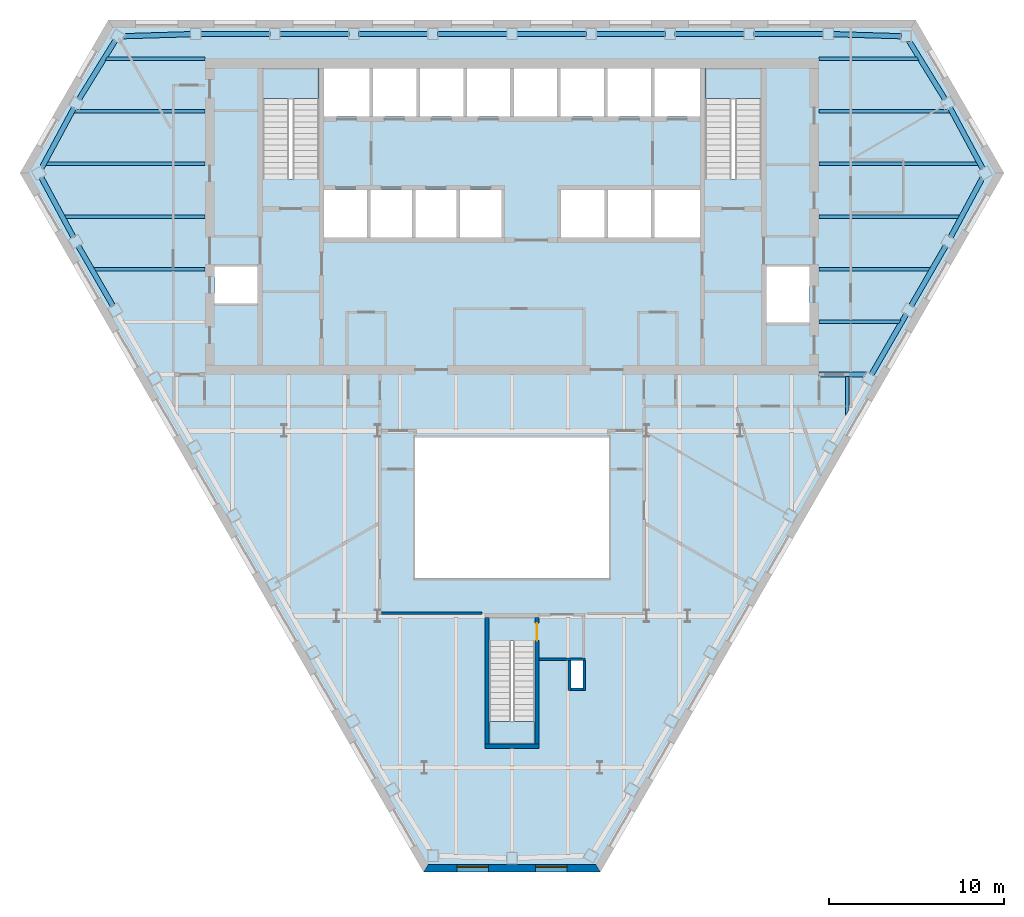
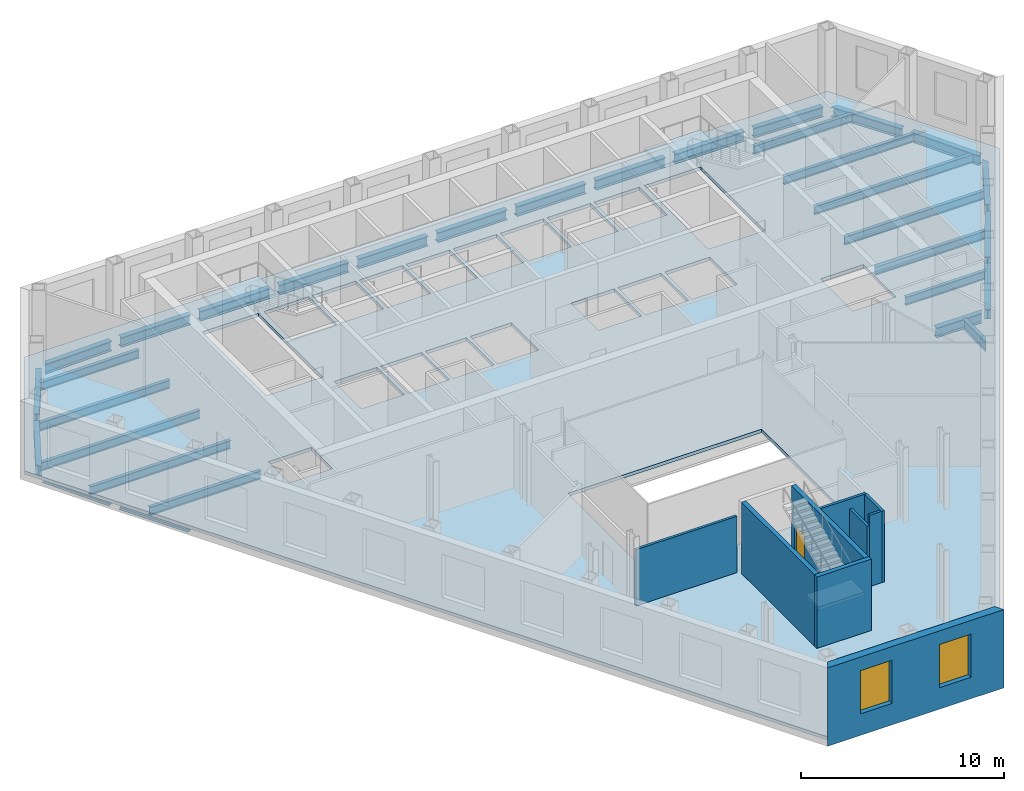
# One storey, part 3 of 11: 32 beams, 9 walls, 4 slabs, 2 windows, 1 door, 3 openings, 3 elements without a shape of their own.
"""IFC4 building model written with IfcOpenShell, lengths in metres."""

from ifc_helpers import new_model, si_unit, direction, frame, frame_2d, origin, origin_2d, place, context, subcontext, project, spatial, polyline, rectangle, i_section, outline, extrude, clip, halfspace, material, layer, layer_set, material_profile, profile_set, type_object, element, fill, aggregate, save


model = new_model("IFC4")

# Units and contexts
model_context = context("Model", 3, precision=1e-05, world=origin(), true_north=direction((0.0, 1.0)))
body_context = subcontext(model_context, "Body", "Model", "MODEL_VIEW")
ifc_project = project(units=[si_unit("LENGTHUNIT", "METRE"), si_unit("AREAUNIT", "SQUARE_METRE"), si_unit("VOLUMEUNIT", "CUBIC_METRE"), si_unit("PLANEANGLEUNIT", "RADIAN"), si_unit("MASSUNIT", "GRAM", prefix="KILO")], contexts=[model_context])

# Site, building, storey
site_placement = place(None, origin())
site = spatial("IfcSite", under=ifc_project, at=site_placement, CompositionType="ELEMENT")
building_placement = place(site_placement, origin())
building = spatial("IfcBuilding", under=site, at=building_placement, Name="Njiva Tower", CompositionType="ELEMENT")
storey_placement = place(building_placement, frame((0.0, 0.0, 106.8)))
storey = spatial("IfcBuildingStorey", under=building, at=storey_placement, Name="L22", CompositionType="ELEMENT", Elevation=106.8)

# Beams
ifc_material_1 = material(Name="Steel S355 J2", Category="steel")
ifc_material_profile_1 = material_profile(ifc_material_1, i_section(OverallWidth=0.22, OverallDepth=0.6, WebThickness=0.012, FlangeThickness=0.019, at=origin_2d()), Name="IPE 600")
ifc_profile_set_1 = profile_set([ifc_material_profile_1], Name="Steel S355 J2")
beam_type_1 = type_object("IfcBeamType", Name="B14 Short-span floor joist IPE 600", PredefinedType="JOIST", material=ifc_profile_set_1)
beam_1_placement = place(storey_placement, frame((19.1, -0.1, -0.5), z_axis=(0.0, -1.0, 0.0), x_axis=(1.0, 0.0, 0.0)))
element("IfcBeam", 1, at=beam_1_placement, inside=storey, type_object=beam_type_1, Name="Short-span floor joist S07-B092", PredefinedType="JOIST", context=body_context, shape_type="Clipping", body=[
    clip(extrude(i_section(OverallWidth=0.22, OverallDepth=0.6, WebThickness=0.012, FlangeThickness=0.019, at=origin_2d()), origin(), (0.0, 0.0, 1.0), 2.308), halfspace(frame((0.0433, 0.0, 2.0217), z_axis=(0.866026552831, 0.0, 0.499998009787), x_axis=(0.0, 1.0, 0.0)), False)),
])
ifc_material_profile_2 = material_profile(ifc_material_1, i_section(OverallWidth=0.3, OverallDepth=0.6, WebThickness=0.0155, FlangeThickness=0.03, at=origin_2d()), Name="HEB 600")
ifc_profile_set_2 = profile_set([ifc_material_profile_2], Name="Steel S355 J2")
beam_type_2 = type_object("IfcBeamType", Name="B21 Short-span floor girder HEB 600", PredefinedType="BEAM", material=ifc_profile_set_2)
beam_2_placement = place(storey_placement, frame((17.5, 0.0, -0.5), z_axis=(1.0, 0.0, 0.0), x_axis=(0.0, 1.0, 0.0)))
element("IfcBeam", 2, at=beam_2_placement, inside=storey, type_object=beam_type_2, Name="Short-span floor girder S07-B028", PredefinedType="BEAM", context=body_context, shape_type="Clipping", body=[
    clip(extrude(i_section(OverallWidth=0.3, OverallDepth=0.6, WebThickness=0.0155, FlangeThickness=0.03, at=origin_2d()), origin(), (0.0, 0.0, 1.0), 2.745), halfspace(frame((-0.025, 0.0, 2.6231), z_axis=(-0.499998009787, 0.0, 0.866026552831), x_axis=(0.0, 1.0, 0.0)), False)),
])
ifc_material_profile_3 = material_profile(ifc_material_1, i_section(OverallWidth=0.2, OverallDepth=0.5, WebThickness=0.0102, FlangeThickness=0.016, at=origin_2d()), Name="IPE 500")
ifc_profile_set_3 = profile_set([ifc_material_profile_3], Name="Steel S355 J2")
beam_type_3 = type_object("IfcBeamType", Name="B24 Floor beam to the core IPE 500", PredefinedType="BEAM", material=ifc_profile_set_3)
beam_3_placement = place(storey_placement, frame((17.5, 3.0, -0.45), z_axis=(1.0, 0.0, 0.0), x_axis=(0.0, 1.0, 0.0)))
element("IfcBeam", 3, at=beam_3_placement, inside=storey, type_object=beam_type_3, Name="Floor beam to the core S07-B008", PredefinedType="BEAM", context=body_context, shape_type="Clipping", body=[
    clip(extrude(i_section(OverallWidth=0.2, OverallDepth=0.5, WebThickness=0.0102, FlangeThickness=0.016, at=origin_2d()), origin(), (0.0, 0.0, 1.0), 4.678), halfspace(frame((-0.025, 0.0, 4.5859), z_axis=(-0.499998009787, 0.0, 0.866026552831), x_axis=(0.0, 1.0, 0.0)), False)),
])
beam_4_placement = place(storey_placement, frame((-23.91, 6.0, -0.45), z_axis=(1.0, 0.0, 0.0), x_axis=(0.0, 1.0, 0.0)))
element("IfcBeam", 4, at=beam_4_placement, inside=storey, type_object=beam_type_3, Name="Floor beam to the core S07-B005", PredefinedType="BEAM", context=body_context, shape_type="Clipping", body=[
    clip(extrude(i_section(OverallWidth=0.2, OverallDepth=0.5, WebThickness=0.0102, FlangeThickness=0.016, at=origin_2d()), origin(), (0.0, 0.0, 1.0), 6.41), halfspace(frame((-0.025, 0.0, 0.092), z_axis=(-0.499998009787, 0.0, -0.866026552831), x_axis=(0.0, -1.0, 0.0)), False)),
])
beam_5_placement = place(storey_placement, frame((17.5, 6.0, -0.45), z_axis=(1.0, 0.0, 0.0), x_axis=(0.0, 1.0, 0.0)))
element("IfcBeam", 5, at=beam_5_placement, inside=storey, type_object=beam_type_3, Name="Floor beam to the core S07-B009", PredefinedType="BEAM", context=body_context, shape_type="Clipping", body=[
    clip(extrude(i_section(OverallWidth=0.2, OverallDepth=0.5, WebThickness=0.0102, FlangeThickness=0.016, at=origin_2d()), origin(), (0.0, 0.0, 1.0), 6.41), halfspace(frame((-0.025, 0.0, 6.318), z_axis=(-0.499998009787, 0.0, 0.866026552831), x_axis=(0.0, 1.0, 0.0)), False)),
])
beam_6_placement = place(storey_placement, frame((-25.584, 9.0, -0.45), z_axis=(1.0, 0.0, 0.0), x_axis=(0.0, 1.0, 0.0)))
element("IfcBeam", 6, at=beam_6_placement, inside=storey, type_object=beam_type_3, Name="Floor beam to the core S07-B002", PredefinedType="BEAM", context=body_context, shape_type="Clipping", body=[
    clip(extrude(i_section(OverallWidth=0.2, OverallDepth=0.5, WebThickness=0.0102, FlangeThickness=0.016, at=origin_2d()), origin(), (0.0, 0.0, 1.0), 8.084), halfspace(frame((-0.0237, 0.0, 0.0865), z_axis=(-0.473769423091, 0.0, -0.880648927634), x_axis=(0.0, -1.0, 0.0)), False)),
])
beam_7_placement = place(storey_placement, frame((17.5, 9.0, -0.45), z_axis=(1.0, 0.0, 0.0), x_axis=(0.0, 1.0, 0.0)))
element("IfcBeam", 7, at=beam_7_placement, inside=storey, type_object=beam_type_3, Name="Floor beam to the core S07-B010", PredefinedType="BEAM", context=body_context, shape_type="Clipping", body=[
    clip(extrude(i_section(OverallWidth=0.2, OverallDepth=0.5, WebThickness=0.0102, FlangeThickness=0.016, at=origin_2d()), origin(), (0.0, 0.0, 1.0), 8.084), halfspace(frame((-0.0237, 0.0, 7.9975), z_axis=(-0.473769423091, 0.0, 0.880648927634), x_axis=(0.0, 1.0, 0.0)), False)),
])
beam_8_placement = place(storey_placement, frame((-26.637, 12.0, -0.45), z_axis=(1.0, 0.0, 0.0), x_axis=(0.0, 1.0, 0.0)))
element("IfcBeam", 8, at=beam_8_placement, inside=storey, type_object=beam_type_3, Name="Floor beam to the core S07-B001", PredefinedType="BEAM", context=body_context, shape_type="Clipping", body=[
    clip(extrude(i_section(OverallWidth=0.2, OverallDepth=0.5, WebThickness=0.0102, FlangeThickness=0.016, at=origin_2d()), origin(), (0.0, 0.0, 1.0), 9.137), halfspace(frame((0.0237, 0.0, 0.0863), z_axis=(0.474151703132, 0.0, -0.880443162513), x_axis=(0.0, -1.0, 0.0)), False)),
])
beam_9_placement = place(storey_placement, frame((17.5, 12.0, -0.45), z_axis=(1.0, 0.0, 0.0), x_axis=(0.0, 1.0, 0.0)))
element("IfcBeam", 9, at=beam_9_placement, inside=storey, type_object=beam_type_3, Name="Floor beam to the core S07-B011", PredefinedType="BEAM", context=body_context, shape_type="Clipping", body=[
    clip(extrude(i_section(OverallWidth=0.2, OverallDepth=0.5, WebThickness=0.0102, FlangeThickness=0.016, at=origin_2d()), origin(), (0.0, 0.0, 1.0), 9.137), halfspace(frame((0.0237, 0.0, 9.0507), z_axis=(0.474151703132, 0.0, 0.880443162513), x_axis=(0.0, 1.0, 0.0)), False)),
])
beam_10_placement = place(storey_placement, frame((-25.022, 15.0, -0.45), z_axis=(1.0, 0.0, 0.0), x_axis=(0.0, 1.0, 0.0)))
element("IfcBeam", 10, at=beam_10_placement, inside=storey, type_object=beam_type_3, Name="Floor beam to the core S07-B003", PredefinedType="BEAM", context=body_context, shape_type="Clipping", body=[
    clip(extrude(i_section(OverallWidth=0.2, OverallDepth=0.5, WebThickness=0.0102, FlangeThickness=0.016, at=origin_2d()), origin(), (0.0, 0.0, 1.0), 7.522), halfspace(frame((0.0237, 0.0, 0.0869), z_axis=(0.474151703132, 0.0, -0.880443162513), x_axis=(0.0, -1.0, 0.0)), False)),
])
beam_11_placement = place(storey_placement, frame((17.5, 15.0, -0.45), z_axis=(1.0, 0.0, 0.0), x_axis=(0.0, 1.0, 0.0)))
element("IfcBeam", 11, at=beam_11_placement, inside=storey, type_object=beam_type_3, Name="Floor beam to the core S07-B013", PredefinedType="BEAM", context=body_context, shape_type="Clipping", body=[
    clip(extrude(i_section(OverallWidth=0.2, OverallDepth=0.5, WebThickness=0.0102, FlangeThickness=0.016, at=origin_2d()), origin(), (0.0, 0.0, 1.0), 7.522), halfspace(frame((0.0237, 0.0, 7.4351), z_axis=(0.474151703132, 0.0, 0.880443162513), x_axis=(0.0, 1.0, 0.0)), False)),
])
beam_12_placement = place(storey_placement, frame((-23.208, 18.0, -0.45), z_axis=(1.0, 0.0, 0.0), x_axis=(0.0, 1.0, 0.0)))
element("IfcBeam", 12, at=beam_12_placement, inside=storey, type_object=beam_type_3, Name="Floor beam to the core S07-B006", PredefinedType="BEAM", context=body_context, shape_type="Clipping", body=[
    clip(extrude(i_section(OverallWidth=0.2, OverallDepth=0.5, WebThickness=0.0102, FlangeThickness=0.016, at=origin_2d()), origin(), (0.0, 0.0, 1.0), 5.708), halfspace(frame((0.0263, 0.0, 0.0982), z_axis=(0.525409634683, 0.0, -0.850849408405), x_axis=(0.0, -1.0, 0.0)), False)),
])
beam_13_placement = place(storey_placement, frame((17.5, 18.0, -0.45), z_axis=(1.0, 0.0, 0.0), x_axis=(0.0, 1.0, 0.0)))
element("IfcBeam", 13, at=beam_13_placement, inside=storey, type_object=beam_type_3, Name="Floor beam to the core S07-B014", PredefinedType="BEAM", context=body_context, shape_type="Clipping", body=[
    clip(extrude(i_section(OverallWidth=0.2, OverallDepth=0.5, WebThickness=0.0102, FlangeThickness=0.016, at=origin_2d()), origin(), (0.0, 0.0, 1.0), 5.708), halfspace(frame((0.0263, 0.0, 5.6098), z_axis=(0.525409634683, 0.0, 0.850849408405), x_axis=(0.0, 1.0, 0.0)), False)),
])
ifc_material_profile_4 = material_profile(ifc_material_1, i_section(OverallWidth=0.3, OverallDepth=0.6, WebThickness=0.0155, FlangeThickness=0.03, at=origin_2d()), Name="HEB 600")
ifc_profile_set_4 = profile_set([ifc_material_profile_4], Name="Steel S355 J2")
beam_type_4 = type_object("IfcBeamType", Name="B3 Short-span spandrel beam HEB 600", PredefinedType="SPANDREL", material=ifc_profile_set_4)
beam_14_placement = place(storey_placement, frame((22.182, 19.275, -0.5), z_axis=(-0.999544015996, 0.030195365317, 0.0), x_axis=(-0.030195365317, -0.999544015996, 0.0)))
element("IfcBeam", 14, at=beam_14_placement, inside=storey, type_object=beam_type_4, Name="Short-span spandrel beam S07-B154", PredefinedType="SPANDREL", context=body_context, shape_type="SweptSolid", body=[
    extrude(i_section(OverallWidth=0.3, OverallDepth=0.6, WebThickness=0.0155, FlangeThickness=0.03, at=origin_2d()), origin(), (0.0, 0.0, 1.0), 3.8748),
])
beam_15_placement = place(storey_placement, frame((17.755, 19.4, -0.5), z_axis=(-1.0, 0.0, 0.0), x_axis=(0.0, -1.0, 0.0)))
element("IfcBeam", 15, at=beam_15_placement, inside=storey, type_object=beam_type_4, Name="Short-span spandrel beam S07-B148", PredefinedType="SPANDREL", context=body_context, shape_type="SweptSolid", body=[
    extrude(i_section(OverallWidth=0.3, OverallDepth=0.6, WebThickness=0.0155, FlangeThickness=0.03, at=origin_2d()), origin(), (0.0, 0.0, 1.0), 3.957),
])
beam_16_placement = place(storey_placement, frame((13.248, 19.4, -0.5), z_axis=(-1.0, 0.0, 0.0), x_axis=(0.0, -1.0, 0.0)))
element("IfcBeam", 16, at=beam_16_placement, inside=storey, type_object=beam_type_4, Name="Short-span spandrel beam S07-B142", PredefinedType="SPANDREL", context=body_context, shape_type="SweptSolid", body=[
    extrude(i_section(OverallWidth=0.3, OverallDepth=0.6, WebThickness=0.0155, FlangeThickness=0.03, at=origin_2d()), origin(), (0.0, 0.0, 1.0), 3.958),
])
beam_17_placement = place(storey_placement, frame((8.74, 19.4, -0.5), z_axis=(-1.0, 0.0, 0.0), x_axis=(0.0, -1.0, 0.0)))
element("IfcBeam", 17, at=beam_17_placement, inside=storey, type_object=beam_type_4, Name="Short-span spandrel beam S07-B137", PredefinedType="SPANDREL", context=body_context, shape_type="SweptSolid", body=[
    extrude(i_section(OverallWidth=0.3, OverallDepth=0.6, WebThickness=0.0155, FlangeThickness=0.03, at=origin_2d()), origin(), (0.0, 0.0, 1.0), 3.957),
])
for number, where, z_axis, x_axis, name in (
    (18, (4.233, 19.4, -0.5), (-1.0, 0.0, 0.0), (0.0, -1.0, 0.0), "Short-span spandrel beam S07-B132"),
    (19, (-0.275, 19.4, -0.5), (-1.0, 0.0, 0.0), (0.0, -1.0, 0.0), "Short-span spandrel beam S07-B130"),
):
    element("IfcBeam", number, at=place(storey_placement, frame(where, z_axis=z_axis, x_axis=x_axis)), inside=storey, type_object=beam_type_4, Name=name, PredefinedType="SPANDREL", context=body_context, shape_type="SweptSolid", body=[
        extrude(i_section(OverallWidth=0.3, OverallDepth=0.6, WebThickness=0.0155, FlangeThickness=0.03, at=origin_2d()), origin(), (0.0, 0.0, 1.0), 3.958),
    ])
beam_18_placement = place(storey_placement, frame((-4.783, 19.4, -0.5), z_axis=(-1.0, 0.0, 0.0), x_axis=(0.0, -1.0, 0.0)))
element("IfcBeam", 20, at=beam_18_placement, inside=storey, type_object=beam_type_4, Name="Short-span spandrel beam S07-B126", PredefinedType="SPANDREL", context=body_context, shape_type="SweptSolid", body=[
    extrude(i_section(OverallWidth=0.3, OverallDepth=0.6, WebThickness=0.0155, FlangeThickness=0.03, at=origin_2d()), origin(), (0.0, 0.0, 1.0), 3.957),
])
beam_19_placement = place(storey_placement, frame((-9.29, 19.4, -0.5), z_axis=(-1.0, 0.0, 0.0), x_axis=(0.0, -1.0, 0.0)))
element("IfcBeam", 21, at=beam_19_placement, inside=storey, type_object=beam_type_4, Name="Short-span spandrel beam S07-B121", PredefinedType="SPANDREL", context=body_context, shape_type="SweptSolid", body=[
    extrude(i_section(OverallWidth=0.3, OverallDepth=0.6, WebThickness=0.0155, FlangeThickness=0.03, at=origin_2d()), origin(), (0.0, 0.0, 1.0), 3.958),
])
beam_20_placement = place(storey_placement, frame((-13.798, 19.4, -0.5), z_axis=(-1.0, 0.0, 0.0), x_axis=(0.0, -1.0, 0.0)))
element("IfcBeam", 22, at=beam_20_placement, inside=storey, type_object=beam_type_4, Name="Short-span spandrel beam S07-B115", PredefinedType="SPANDREL", context=body_context, shape_type="SweptSolid", body=[
    extrude(i_section(OverallWidth=0.3, OverallDepth=0.6, WebThickness=0.0155, FlangeThickness=0.03, at=origin_2d()), origin(), (0.0, 0.0, 1.0), 3.957),
])
beam_21_placement = place(storey_placement, frame((-18.309, 19.392, -0.5), z_axis=(-0.999542384946, -0.030249309018, 0.0), x_axis=(0.030249309018, -0.999542384946, 0.0)))
element("IfcBeam", 23, at=beam_21_placement, inside=storey, type_object=beam_type_4, Name="Short-span spandrel beam S07-B109", PredefinedType="SPANDREL", context=body_context, shape_type="Clipping", body=[
    clip(extrude(i_section(OverallWidth=0.3, OverallDepth=0.6, WebThickness=0.0155, FlangeThickness=0.03, at=origin_2d()), origin(), (0.0, 0.0, 1.0), 3.9147), halfspace(frame((-0.0268, 0.0, 3.785), z_axis=(-0.525965907985, 0.0, 0.850505651737), x_axis=(0.0, 1.0, 0.0)), False)),
])
beam_22_placement = place(storey_placement, frame((-22.608, 19.03, -0.5), z_axis=(-0.525314575053, -0.850908101523, 0.0), x_axis=(0.850908101523, -0.525314575053, 0.0)))
element("IfcBeam", 24, at=beam_22_placement, inside=storey, type_object=beam_type_4, Name="Short-span spandrel beam S07-B105", PredefinedType="SPANDREL", context=body_context, shape_type="SweptSolid", body=[
    extrude(i_section(OverallWidth=0.3, OverallDepth=0.6, WebThickness=0.0155, FlangeThickness=0.03, at=origin_2d()), origin(), (0.0, 0.0, 1.0), 3.9405),
])
beam_23_placement = place(storey_placement, frame((-24.957, 15.194, -0.5), z_axis=(-0.474207752465, -0.880412975542, 0.0), x_axis=(0.880412975542, -0.474207752465, 0.0)))
element("IfcBeam", 25, at=beam_23_placement, inside=storey, type_object=beam_type_4, Name="Short-span spandrel beam S07-B101", PredefinedType="SPANDREL", context=body_context, shape_type="Clipping", body=[
    clip(extrude(i_section(OverallWidth=0.3, OverallDepth=0.6, WebThickness=0.0155, FlangeThickness=0.03, at=origin_2d()), origin(), (0.0, 0.0, 1.0), 3.9805), halfspace(frame((-0.026, 0.0, 3.8511), z_axis=(-0.525358081818, 0.0, 0.850881240755), x_axis=(0.0, 1.0, 0.0)), False)),
])
beam_24_placement = place(storey_placement, frame((-26.825, 11.234, -0.5), z_axis=(0.473745879113, -0.880661593362, 0.0), x_axis=(0.880661593362, 0.473745879113, 0.0)))
element("IfcBeam", 26, at=beam_24_placement, inside=storey, type_object=beam_type_4, Name="Short-span spandrel beam S07-B100", PredefinedType="SPANDREL", context=body_context, shape_type="SweptSolid", body=[
    extrude(i_section(OverallWidth=0.3, OverallDepth=0.6, WebThickness=0.0155, FlangeThickness=0.03, at=origin_2d()), origin(), (0.0, 0.0, 1.0), 3.8755),
])
beam_25_placement = place(storey_placement, frame((-24.72, 7.337, -0.5), z_axis=(0.500079715141, -0.865979375335, 0.0), x_axis=(0.865979375335, 0.500079715141, 0.0)))
element("IfcBeam", 27, at=beam_25_placement, inside=storey, type_object=beam_type_4, Name="Short-span spandrel beam S07-B104", PredefinedType="SPANDREL", context=body_context, shape_type="SweptSolid", body=[
    extrude(i_section(OverallWidth=0.3, OverallDepth=0.6, WebThickness=0.0155, FlangeThickness=0.03, at=origin_2d()), origin(), (0.0, 0.0, 1.0), 3.9574),
])
beam_26_placement = place(storey_placement, frame((20.487, 0.006, -0.5), z_axis=(0.499970304126, 0.866042548026, 0.0), x_axis=(-0.866042548026, 0.499970304126, 0.0)))
element("IfcBeam", 28, at=beam_26_placement, inside=storey, type_object=beam_type_4, Name="Short-span spandrel beam S07-B156", PredefinedType="SPANDREL", context=body_context, shape_type="SweptSolid", body=[
    extrude(i_section(OverallWidth=0.3, OverallDepth=0.6, WebThickness=0.0155, FlangeThickness=0.03, at=origin_2d()), origin(), (0.0, 0.0, 1.0), 3.9582),
])
beam_27_placement = place(storey_placement, frame((22.741, 3.91, -0.5), z_axis=(0.500079715141, 0.865979375335, 0.0), x_axis=(-0.865979375335, 0.500079715141, 0.0)))
element("IfcBeam", 29, at=beam_27_placement, inside=storey, type_object=beam_type_4, Name="Short-span spandrel beam S07-B160", PredefinedType="SPANDREL", context=body_context, shape_type="SweptSolid", body=[
    extrude(i_section(OverallWidth=0.3, OverallDepth=0.6, WebThickness=0.0155, FlangeThickness=0.03, at=origin_2d()), origin(), (0.0, 0.0, 1.0), 3.9574),
])
beam_28_placement = place(storey_placement, frame((24.989, 7.821, -0.5), z_axis=(0.473942975033, 0.880555538519, 0.0), x_axis=(-0.880555538519, 0.473942975033, 0.0)))
element("IfcBeam", 30, at=beam_28_placement, inside=storey, type_object=beam_type_4, Name="Short-span spandrel beam S07-B163", PredefinedType="SPANDREL", context=body_context, shape_type="Clipping", body=[
    clip(extrude(i_section(OverallWidth=0.3, OverallDepth=0.6, WebThickness=0.0155, FlangeThickness=0.03, at=origin_2d()), origin(), (0.0, 0.0, 1.0), 3.9151), halfspace(frame((-0.026, 0.0, 3.7856), z_axis=(-0.525613933331, 0.0, 0.850723217673), x_axis=(0.0, 1.0, 0.0)), False)),
])
beam_29_placement = place(storey_placement, frame((26.825, 11.724, -0.5), z_axis=(-0.474009028458, 0.880519983271, 0.0), x_axis=(-0.880519983271, -0.474009028458, 0.0)))
element("IfcBeam", 31, at=beam_29_placement, inside=storey, type_object=beam_type_4, Name="Short-span spandrel beam S07-B162", PredefinedType="SPANDREL", context=body_context, shape_type="SweptSolid", body=[
    extrude(i_section(OverallWidth=0.3, OverallDepth=0.6, WebThickness=0.0155, FlangeThickness=0.03, at=origin_2d()), origin(), (0.0, 0.0, 1.0), 3.9409),
])
beam_30_placement = place(storey_placement, frame((24.678, 15.677, -0.5), z_axis=(-0.525481869392, 0.850804798376, 0.0), x_axis=(-0.850804798376, -0.525481869392, 0.0)))
element("IfcBeam", 32, at=beam_30_placement, inside=storey, type_object=beam_type_4, Name="Short-span spandrel beam S07-B158", PredefinedType="SPANDREL", context=body_context, shape_type="Clipping", body=[
    clip(extrude(i_section(OverallWidth=0.3, OverallDepth=0.6, WebThickness=0.0155, FlangeThickness=0.03, at=origin_2d()), origin(), (0.0, 0.0, 1.0), 3.9799), halfspace(frame((-0.0266, 0.0, 3.8505), z_axis=(-0.525481869392, 0.0, 0.850804798376), x_axis=(0.0, 1.0, 0.0)), False)),
])

# Stair, slab
ifc_material_2 = material(Name="Concrete C40/50", Category="concrete")
stair_type_1 = type_object("IfcStairType", Name="ST4 Exit stair 1500", PredefinedType="HALF_TURN_STAIR", material=ifc_material_2)
stair_1_placement = place(storey_placement, origin())
stair_1 = element("IfcStair", 33, at=stair_1_placement, inside=storey, type_object=stair_type_1, Name="Stair A", PredefinedType="HALF_TURN_STAIR")
ifc_layer_1 = layer(ifc_material_2, 0.2)
ifc_layer_set_1 = layer_set([ifc_layer_1], Name="Concrete C40/50")
slab_type_1 = type_object("IfcSlabType", Name="FL9 Stair landing 200", PredefinedType="LANDING", material=ifc_layer_set_1)
slab_1_placement = place(storey_placement, frame((0.0, 0.0, 2.05)))
slab_1 = element("IfcSlab", 34, at=slab_1_placement, type_object=slab_type_1, Name="ST-A landing 1", PredefinedType="LANDING", context=body_context, shape_type="SweptSolid", body=[
    extrude(outline(polyline([(-14.206, 15.72), (-10.994, 15.72), (-10.994, 17.45), (-14.206, 17.45), (-14.206, 15.72)])), origin(), (0.0, 0.0, 1.0), 0.2),
])
aggregate(stair_1, [slab_1])

stair_2_placement = place(storey_placement, origin())
stair_2 = element("IfcStair", 35, at=stair_2_placement, inside=storey, type_object=stair_type_1, Name="Stair B", PredefinedType="HALF_TURN_STAIR")
slab_2_placement = place(storey_placement, frame((0.0, 0.0, 2.05)))
slab_2 = element("IfcSlab", 36, at=slab_2_placement, type_object=slab_type_1, Name="ST-B landing 1", PredefinedType="LANDING", context=body_context, shape_type="SweptSolid", body=[
    extrude(outline(polyline([(10.994, 15.72), (14.206, 15.72), (14.206, 17.45), (10.994, 17.45), (10.994, 15.72)])), origin(), (0.0, 0.0, 1.0), 0.2),
])
aggregate(stair_2, [slab_2])

stair_type_2 = type_object("IfcStairType", Name="ST1 Exit stair 1250", PredefinedType="HALF_TURN_STAIR", material=ifc_material_2)
stair_3_placement = place(storey_placement, origin())
stair_3 = element("IfcStair", 37, at=stair_3_placement, inside=storey, type_object=stair_type_2, Name="Stair C", PredefinedType="HALF_TURN_STAIR")
slab_3_placement = place(storey_placement, frame((0.0, 0.0, 2.05)))
slab_3 = element("IfcSlab", 38, at=slab_3_placement, type_object=slab_type_1, Name="ST-C landing 1", PredefinedType="LANDING", context=body_context, shape_type="SweptSolid", body=[
    extrude(outline(polyline([(-1.306, -21.05), (1.306, -21.05), (1.306, -19.78), (-1.306, -19.78), (-1.306, -21.05)])), origin(), (0.0, 0.0, 1.0), 0.2),
])
aggregate(stair_3, [slab_3])

# Slab
ifc_material_3 = material(Name="Concrete C30/37", Category="concrete")
ifc_layer_2 = layer(ifc_material_3, 0.2)
ifc_layer_set_2 = layer_set([ifc_layer_2], Name="Concrete C30/37")
slab_type_2 = type_object("IfcSlabType", Name="SL16 Composite floor slab 200", PredefinedType="FLOOR", material=ifc_layer_set_2)
slab_4_placement = place(storey_placement, frame((0.0, 0.0, -0.2)))
element("IfcSlab", 39, at=slab_4_placement, inside=storey, type_object=slab_type_2, Name="Floor slab L22", PredefinedType="FLOOR", context=body_context, shape_type="SweptSolid", body=[
    extrude(outline(polyline([(27.7752, 11.4791), (4.9051, -28.133), (-4.9051, -28.133), (-27.7752, 11.4791), (-22.8701, 19.975), (22.8701, 19.975), (27.7752, 11.4791)]), holes=[polyline([(14.5, 2.9559), (16.95, 2.9559), (16.95, 6.15), (14.5, 6.15), (14.5, 2.9559)]), polyline([(10.994, 17.45), (10.994, 11.13), (14.206, 11.13), (14.206, 17.45), (10.994, 17.45)]), polyline([(8.125, 17.45), (8.125, 14.7), (10.7, 14.7), (10.7, 17.45), (8.125, 17.45)]), polyline([(8.1333, 7.8), (10.7, 7.8), (10.7, 10.5), (8.1333, 10.5), (8.1333, 7.8)]), polyline([(5.4667, 10.5), (5.4667, 7.8), (7.9333, 7.8), (7.9333, 10.5), (5.4667, 10.5)]), polyline([(5.45, 17.45), (5.45, 14.7), (7.925, 14.7), (7.925, 17.45), (5.45, 17.45)]), polyline([(5.52, -11.6), (5.52, -3.6), (-5.52, -3.6), (-5.52, -11.6), (5.52, -11.6)]), polyline([(2.8, 10.5), (2.8, 7.8), (5.2667, 7.8), (5.2667, 10.5), (2.8, 10.5)]), polyline([(2.775, 14.7), (5.25, 14.7), (5.25, 17.45), (2.775, 17.45), (2.775, 14.7)]), polyline([(3.35, -17.85), (4.05, -17.85), (4.05, -16.3), (3.35, -16.3), (3.35, -17.85)]), polyline([(0.1, 17.45), (0.1, 14.7), (2.575, 14.7), (2.575, 17.45), (0.1, 17.45)]), polyline([(-1.306, -21.05), (1.306, -21.05), (1.306, -15.19), (-1.306, -15.19), (-1.306, -21.05)]), polyline([(-2.575, 17.45), (-2.575, 14.7), (-0.1, 14.7), (-0.1, 17.45), (-2.575, 17.45)]), polyline([(-2.95, 7.8), (-0.6, 7.8), (-0.6, 10.5), (-2.95, 10.5), (-2.95, 7.8)]), polyline([(-5.25, 17.45), (-5.25, 14.7), (-2.775, 14.7), (-2.775, 17.45), (-5.25, 17.45)]), polyline([(-5.5, 10.5), (-5.5, 7.8), (-3.15, 7.8), (-3.15, 10.5), (-5.5, 10.5)]), polyline([(-7.925, 14.7), (-5.45, 14.7), (-5.45, 17.45), (-7.925, 17.45), (-7.925, 14.7)]), polyline([(-8.05, 10.5), (-8.05, 7.8), (-5.7, 7.8), (-5.7, 10.5), (-8.05, 10.5)]), polyline([(-10.7, 17.45), (-10.7, 14.7), (-8.125, 14.7), (-8.125, 17.45), (-10.7, 17.45)]), polyline([(-10.7, 7.8), (-8.25, 7.8), (-8.25, 10.5), (-10.7, 10.5), (-10.7, 7.8)]), polyline([(-14.206, 17.45), (-14.206, 11.13), (-10.994, 11.13), (-10.994, 17.45), (-14.206, 17.45)]), polyline([(-16.95, 4.0598), (-14.5, 4.0598), (-14.5, 6.15), (-16.95, 6.15), (-16.95, 4.0598)])]), origin(), (0.0, 0.0, 1.0), 0.2),
])

# Walls
ifc_material_4 = material(Name="Gypsum board on steel studs", Category="gypsum")
ifc_layer_3 = layer(ifc_material_4, 0.15)
ifc_layer_set_3 = layer_set([ifc_layer_3], Name="Gypsum board on steel studs")
wall_type_1 = type_object("IfcWallType", Name="WT21 Compartment wall 150", PredefinedType="PARTITIONING", material=ifc_layer_set_3)
wall_1_placement = place(storey_placement, frame((-7.445, -13.6, 0.0), z_axis=(0.0, 0.0, 1.0), x_axis=(1.0, 0.0, 0.0)))
element("IfcWall", 40, at=wall_1_placement, inside=storey, type_object=wall_type_1, Name="Partition S07-P011", PredefinedType="PARTITIONING", context=body_context, shape_type="SweptSolid", body=[
    extrude(rectangle(XDim=5.745, YDim=0.15, at=frame_2d((2.8725, 0.0))), origin(), (0.0, 0.0, 1.0), 3.39),
])
ifc_material_5 = material(Name="Blockwork", Category="masonry")
ifc_layer_4 = layer(ifc_material_5, 0.15)
ifc_layer_set_4 = layer_set([ifc_layer_4], Name="Blockwork")
wall_type_2 = type_object("IfcWallType", Name="WT4 Stair partition 150", PredefinedType="PARTITIONING", material=ifc_layer_set_4)
wall_2_placement = place(storey_placement, frame((1.55, -16.225, 0.0), z_axis=(0.0, 0.0, 1.0), x_axis=(1.0, 0.0, 0.0)))
element("IfcWall", 41, at=wall_2_placement, inside=storey, type_object=wall_type_2, Name="Stair C vestibule wall south", PredefinedType="PARTITIONING", context=body_context, shape_type="SweptSolid", body=[
    extrude(rectangle(XDim=2.6, YDim=0.15, at=frame_2d((1.3, 0.0))), origin(), (0.0, 0.0, 1.0), 4.3),
])
wall_3_placement = place(storey_placement, frame((3.275, -18.0, 0.0), z_axis=(0.0, 0.0, 1.0), x_axis=(0.0, 1.0, 0.0)))
element("IfcWall", 42, at=wall_3_placement, inside=storey, type_object=wall_type_2, Name="Stair C pressurisation shaft wall", PredefinedType="PARTITIONING", context=body_context, shape_type="SweptSolid", body=[
    extrude(rectangle(XDim=1.7, YDim=0.15, at=frame_2d((0.85, 0.0))), origin(), (0.0, 0.0, 1.0), 3.7),
])
wall_4_placement = place(storey_placement, frame((3.35, -17.925, 0.0), z_axis=(0.0, 0.0, 1.0), x_axis=(1.0, 0.0, 0.0)))
element("IfcWall", 43, at=wall_4_placement, inside=storey, type_object=wall_type_2, Name="Stair C pressurisation shaft wall", PredefinedType="PARTITIONING", context=body_context, shape_type="SweptSolid", body=[
    extrude(rectangle(XDim=0.7, YDim=0.15, at=frame_2d((0.35, 0.0))), origin(), (0.0, 0.0, 1.0), 4.3),
])
wall_5_placement = place(storey_placement, frame((4.125, -18.0, 0.0), z_axis=(0.0, 0.0, 1.0), x_axis=(0.0, 1.0, 0.0)))
element("IfcWall", 44, at=wall_5_placement, inside=storey, type_object=wall_type_2, Name="Stair C pressurisation shaft wall", PredefinedType="PARTITIONING", context=body_context, shape_type="SweptSolid", body=[
    extrude(rectangle(XDim=1.7, YDim=0.15, at=frame_2d((0.85, 0.0))), origin(), (0.0, 0.0, 1.0), 4.3),
])
ifc_layer_5 = layer(ifc_material_2, 0.25)
ifc_layer_set_5 = layer_set([ifc_layer_5], Name="Concrete C40/50")
wall_type_3 = type_object("IfcWallType", Name="WT9 Stair enclosure wall 250", PredefinedType="SHEAR", material=ifc_layer_set_5)
wall_6_placement = place(storey_placement, frame((-1.425, -21.05, 0.0), z_axis=(0.0, 0.0, 1.0), x_axis=(0.0, 1.0, 0.0)))
element("IfcWall", 45, at=wall_6_placement, inside=storey, type_object=wall_type_3, Name="Stair C wall west", PredefinedType="SHEAR", context=body_context, shape_type="SweptSolid", body=[
    extrude(rectangle(XDim=7.2, YDim=0.25, at=frame_2d((3.6, 0.0))), origin(), (0.0, 0.0, 1.0), 4.3),
])

# Wall, opening, door
wall_7_placement = place(storey_placement, frame((1.425, -21.05, 0.0), z_axis=(0.0, 0.0, 1.0), x_axis=(0.0, 1.0, 0.0)))
wall_7 = element("IfcWall", 46, at=wall_7_placement, inside=storey, type_object=wall_type_3, Name="Stair C wall east", PredefinedType="SHEAR", context=body_context, shape_type="SweptSolid", body=[
    extrude(rectangle(XDim=7.2, YDim=0.25, at=frame_2d((3.6, 0.0))), origin(), (0.0, 0.0, 1.0), 4.3),
])
opening_1_placement = place(wall_7_placement, frame((5.89, 0.0, 0.0)))
opening_1 = element("IfcOpeningElement", 47, at=opening_1_placement, cuts=wall_7, Name="Opening S07-D938", PredefinedType="OPENING", context=body_context, shape_type="SweptSolid", body=[
    extrude(rectangle(XDim=1.0, YDim=2.1, at=frame_2d((0.5, 1.05))), frame((0.0, 0.135, 0.0), z_axis=(0.0, -1.0, 0.0), x_axis=(1.0, 0.0, 0.0)), (0.0, 0.0, 1.0), 0.27),
])
ifc_material_6 = material(Name="Glazed steel fire door", Category="steel")
door_type = type_object("IfcDoorType", Name="D9 Stair vestibule door 1000x2100 glazed", OperationType="SINGLE_SWING_LEFT", PredefinedType="DOOR", material=ifc_material_6)
door_placement = place(opening_1_placement, origin())
door = element("IfcDoor", 48, at=door_placement, inside=storey, type_object=door_type, Name="Stair C door", OperationType="SINGLE_SWING_LEFT", OverallHeight=2.1, OverallWidth=1.0, PredefinedType="DOOR", context=body_context, shape_type="SweptSolid", body=[
    extrude(rectangle(XDim=1.0, YDim=2.1, at=frame_2d((0.5, 1.05))), frame((0.0, 0.025, 0.0), z_axis=(0.0, -1.0, 0.0), x_axis=(1.0, 0.0, 0.0)), (0.0, 0.0, 1.0), 0.05),
])
fill(opening_1, door)

# Wall
wall_8_placement = place(storey_placement, frame((-1.55, -21.175, 0.0), z_axis=(0.0, 0.0, 1.0), x_axis=(1.0, 0.0, 0.0)))
element("IfcWall", 49, at=wall_8_placement, inside=storey, type_object=wall_type_3, Name="Stair C wall south", PredefinedType="SHEAR", context=body_context, shape_type="SweptSolid", body=[
    extrude(rectangle(XDim=3.1, YDim=0.25, at=frame_2d((1.55, 0.0))), origin(), (0.0, 0.0, 1.0), 4.3),
])

# Wall, openings, windows
ifc_material_7 = material(Name="Brick masonry, buff", Category="masonry")
ifc_layer_6 = layer(ifc_material_7, 0.45)
ifc_layer_set_6 = layer_set([ifc_layer_6], Name="Brick masonry, buff")
wall_type_4 = type_object("IfcWallType", Name="WT94 Brick pier and spandrel wall 450, buff", PredefinedType="SOLIDWALL", material=ifc_layer_set_6)
wall_9_placement = place(storey_placement, frame((-4.9051, -28.133, -0.4), z_axis=(0.0, 0.0, 1.0), x_axis=(1.0, 0.0, 0.0)))
wall_9 = element("IfcWall", 50, at=wall_9_placement, inside=storey, type_object=wall_type_4, Name="Facade wall S", PredefinedType="SOLIDWALL", context=body_context, shape_type="SweptSolid", body=[
    extrude(outline(polyline([(-0.1299, -0.225), (9.9401, -0.225), (9.6803, 0.225), (0.1299, 0.225), (-0.1299, -0.225)])), origin(), (0.0, 0.0, 1.0), 4.72),
])
opening_2_placement = place(wall_9_placement, frame((1.7569, 0.0, 1.3)))
opening_2 = element("IfcOpeningElement", 51, at=opening_2_placement, cuts=wall_9, Name="Opening S07-W22", PredefinedType="OPENING", context=body_context, shape_type="SweptSolid", body=[
    extrude(rectangle(XDim=1.8, YDim=2.6, at=frame_2d((0.9, 1.3))), frame((0.0, 0.235, 0.0), z_axis=(0.0, -1.0, 0.0), x_axis=(1.0, 0.0, 0.0)), (0.0, 0.0, 1.0), 0.47),
])
opening_3_placement = place(wall_9_placement, frame((6.2532, 0.0, 1.3)))
opening_3 = element("IfcOpeningElement", 52, at=opening_3_placement, cuts=wall_9, Name="Opening S07-W23", PredefinedType="OPENING", context=body_context, shape_type="SweptSolid", body=[
    extrude(rectangle(XDim=1.8, YDim=2.6, at=frame_2d((0.9, 1.3))), frame((0.0, 0.235, 0.0), z_axis=(0.0, -1.0, 0.0), x_axis=(1.0, 0.0, 0.0)), (0.0, 0.0, 1.0), 0.47),
])
ifc_material_8 = material(Name="Clear glazing in aluminium frame", Category="aluminium")
window_type = type_object("IfcWindowType", Name="W96 Deep-set window 1800x2600", PartitioningType="SINGLE_PANEL", PredefinedType="WINDOW", material=ifc_material_8)
window_1_placement = place(opening_2_placement, origin())
window_1 = element("IfcWindow", 53, at=window_1_placement, inside=storey, type_object=window_type, Name="Window", OverallHeight=2.6, OverallWidth=1.8, PartitioningType="SINGLE_PANEL", PredefinedType="WINDOW", context=body_context, shape_type="SweptSolid", body=[
    extrude(rectangle(XDim=1.8, YDim=2.6, at=frame_2d((0.9, 1.3))), frame((0.0, 0.105, 0.0), z_axis=(0.0, -1.0, 0.0), x_axis=(1.0, 0.0, 0.0)), (0.0, 0.0, 1.0), 0.06),
])
fill(opening_2, window_1)
window_2_placement = place(opening_3_placement, origin())
window_2 = element("IfcWindow", 54, at=window_2_placement, inside=storey, type_object=window_type, Name="Window", OverallHeight=2.6, OverallWidth=1.8, PartitioningType="SINGLE_PANEL", PredefinedType="WINDOW", context=body_context, shape_type="SweptSolid", body=[
    extrude(rectangle(XDim=1.8, YDim=2.6, at=frame_2d((0.9, 1.3))), frame((0.0, 0.105, 0.0), z_axis=(0.0, -1.0, 0.0), x_axis=(1.0, 0.0, 0.0)), (0.0, 0.0, 1.0), 0.06),
])
fill(opening_3, window_2)

save(model, "model.ifc")
